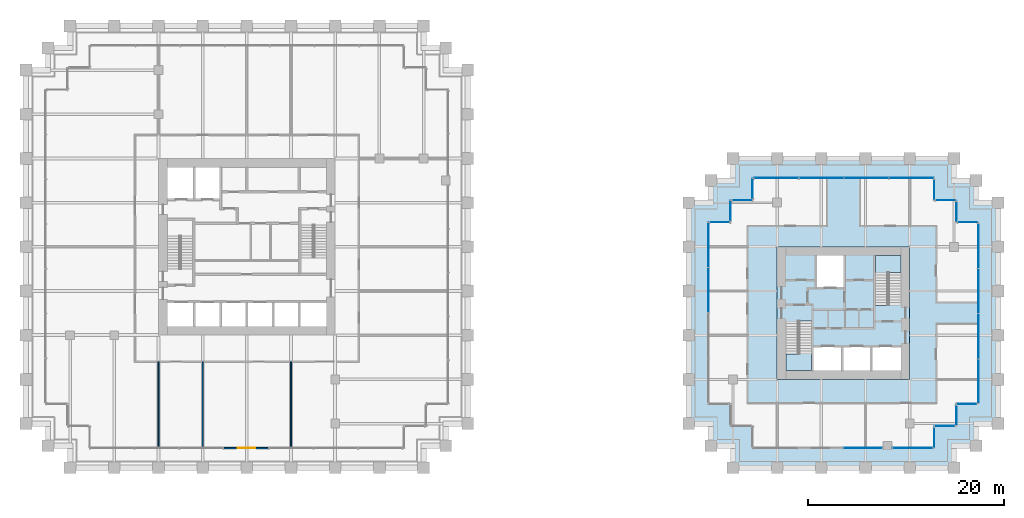
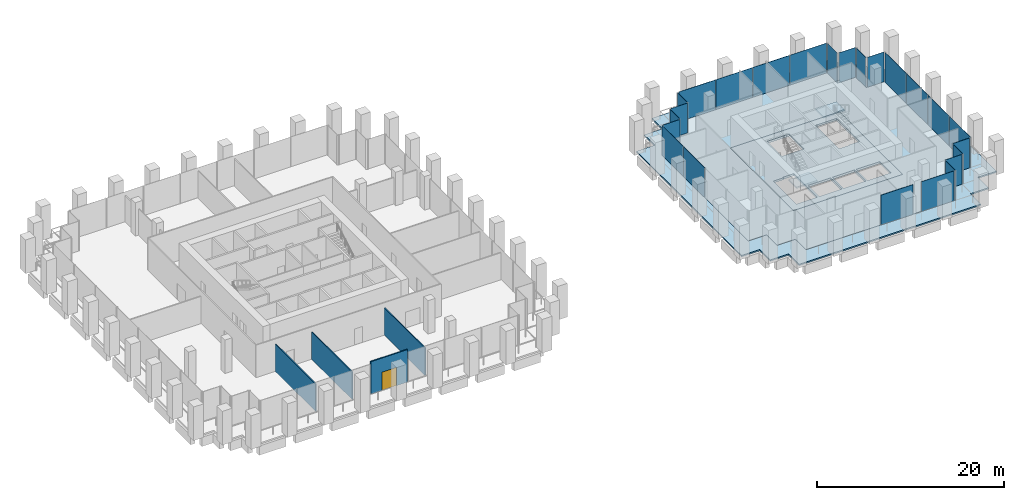
# One storey, part 29 of 36: 24 plates, 5 slabs, 4 walls, 1 door, 1 opening, 19 elements without a shape of their own.
"""IFC4 building model written with IfcOpenShell, lengths in metres."""

from ifc_helpers import new_model, si_unit, direction, frame, frame_2d, origin, origin_2d, place, context, subcontext, project, spatial, polyline, rectangle, outline, extrude, material, layer, layer_set, type_object, element, fill, aggregate, save


model = new_model("IFC4")

# Units and contexts
model_context = context("Model", 3, precision=1e-05, world=origin(), true_north=direction((0.0, 1.0)))
body_context = subcontext(model_context, "Body", "Model", "MODEL_VIEW")
ifc_project = project(units=[si_unit("LENGTHUNIT", "METRE"), si_unit("AREAUNIT", "SQUARE_METRE"), si_unit("VOLUMEUNIT", "CUBIC_METRE"), si_unit("PLANEANGLEUNIT", "RADIAN"), si_unit("MASSUNIT", "GRAM", prefix="KILO")], contexts=[model_context])

# Site, building, storey
site_placement = place(None, origin())
site = spatial("IfcSite", under=ifc_project, at=site_placement, CompositionType="ELEMENT")
building_placement = place(site_placement, origin())
building = spatial("IfcBuilding", under=site, at=building_placement, Name="Altepetl Exchange Towers", CompositionType="ELEMENT")
storey_placement = place(building_placement, frame((0.0, 0.0, 43.0)))
storey = spatial("IfcBuildingStorey", under=building, at=storey_placement, Name="L09", CompositionType="ELEMENT", Elevation=43.0)

# Slabs
ifc_material_1 = material(Name="Concrete C40/50", Category="concrete")
ifc_layer_1 = layer(ifc_material_1, 0.175048828125)
ifc_layer_set_1 = layer_set([ifc_layer_1], Name="Concrete C40/50")
slab_type_1 = type_object("IfcSlabType", Name="Composite floor slab 175", PredefinedType="FLOOR", material=ifc_layer_set_1)
slab_1_placement = place(storey_placement, frame((0.0, 0.0, -0.175048828125)))
element("IfcSlab", 1, at=slab_1_placement, inside=storey, type_object=slab_type_1, Name="slab:B:L09:strip0", PredefinedType="FLOOR", context=body_context, shape_type="SweptSolid", body=[
    extrude(outline(polyline([(98.75, 54.25), (98.75, 52.0), (96.5, 52.0), (96.5, 33.5), (98.75, 33.5), (98.75, 31.25), (101.0, 31.25), (101.0, 29.0), (119.5, 29.0), (119.5, 31.25), (121.75, 31.25), (121.75, 33.5), (124.0, 33.5), (124.0, 52.0), (121.75, 52.0), (121.75, 54.25), (119.5, 54.25), (119.5, 56.5), (101.0, 56.5), (101.0, 54.25), (98.75, 54.25)]), holes=[polyline([(117.0, 49.5), (117.0, 36.0), (103.5, 36.0), (103.5, 49.5), (117.0, 49.5)])]), origin(), (0.0, 0.0, 1.0), 0.175048828125),
])
ifc_layer_2 = layer(ifc_material_1, 0.27490234375)
ifc_layer_set_2 = layer_set([ifc_layer_2], Name="Concrete C40/50")
slab_type_2 = type_object("IfcSlabType", Name="Core floor slab 275", PredefinedType="FLOOR", material=ifc_layer_set_2)
slab_2_placement = place(storey_placement, frame((0.0, 0.0, -0.27490234375)))
element("IfcSlab", 2, at=slab_2_placement, inside=storey, type_object=slab_type_2, Name="slab:B:L09:core0", PredefinedType="FLOOR", context=body_context, shape_type="SweptSolid", body=[
    extrude(outline(polyline([(103.5, 36.0), (117.0, 36.0), (117.0, 49.5), (103.5, 49.5), (103.5, 36.0)]), holes=[polyline([(107.199951171875, 36.89990234375), (107.199951171875, 39.300048828125), (110.032958984375, 39.300048828125), (110.032958984375, 36.89990234375), (107.199951171875, 36.89990234375)]), polyline([(110.23291015625, 39.300048828125), (112.967041015625, 39.300048828125), (112.967041015625, 36.89990234375), (110.23291015625, 36.89990234375), (110.23291015625, 39.300048828125)]), polyline([(113.1669921875, 39.300048828125), (116.10009765625, 39.300048828125), (116.10009765625, 36.89990234375), (113.1669921875, 36.89990234375), (113.1669921875, 39.300048828125)]), polyline([(107.0, 36.89990234375), (104.39990234375, 36.89990234375), (104.39990234375, 41.85009765625), (105.64990234375, 41.85009765625), (105.64990234375, 41.948974609375), (107.0, 41.948974609375), (107.0, 36.89990234375)]), polyline([(116.10009765625, 48.60009765625), (116.10009765625, 43.64990234375), (114.85009765625, 43.64990234375), (114.85009765625, 43.551025390625), (113.5, 43.551025390625), (113.5, 48.60009765625), (116.10009765625, 48.60009765625)]), polyline([(107.532958984375, 48.60009765625), (110.26708984375, 48.60009765625), (110.26708984375, 45.39990234375), (107.532958984375, 45.39990234375), (107.532958984375, 48.60009765625)])]), origin(), (0.0, 0.0, 1.0), 0.27490234375),
])

# Curtain wall, plate
ifc_material_2 = material(Name="Aluminium 6063-T6 glazing", Category="aluminium")
curtain_wall_type = type_object("IfcCurtainWallType", Name="Trading floor glazing system", PredefinedType="NOTDEFINED", material=ifc_material_2)
curtain_wall_1_placement = place(storey_placement, origin())
curtain_wall_1 = element("IfcCurtainWall", 3, at=curtain_wall_1_placement, inside=storey, type_object=curtain_wall_type, Name="CW2 run", PredefinedType="NOTDEFINED")
ifc_material_3 = material(Name="Glass 8-20-8 solar control", Category="glass")
ifc_layer_3 = layer(ifc_material_3, 0.035888671875)
ifc_layer_set_3 = layer_set([ifc_layer_3], Name="Glass 8-20-8 solar control")
plate_type = type_object("IfcPlateType", Name="Glass panel 36 double glazed", PredefinedType="CURTAIN_PANEL", material=ifc_layer_set_3)
plate_1_placement = place(storey_placement, frame((97.675048828125, 52.0, 0.0), z_axis=(0.0, 0.0, 1.0), x_axis=(-1.0, 0.0, 0.0)))
plate_1 = element("IfcPlate", 4, at=plate_1_placement, type_object=plate_type, Name="GP2 panel", PredefinedType="CURTAIN_PANEL", context=body_context, shape_type="SweptSolid", body=[
    extrude(rectangle(XDim=2.030029296875, YDim=0.035888671875, at=origin_2d()), origin(), (0.0, 0.0, 1.0), 3.89990234375),
])
aggregate(curtain_wall_1, [plate_1])

# Curtain wall, plates
curtain_wall_2_placement = place(storey_placement, origin())
curtain_wall_2 = element("IfcCurtainWall", 5, at=curtain_wall_2_placement, inside=storey, type_object=curtain_wall_type, Name="CW2 run", PredefinedType="NOTDEFINED")
plate_2_placement = place(storey_placement, frame((96.5, 49.68505859375, 0.0), z_axis=(0.0, 0.0, 1.0), x_axis=(0.0, -1.0, 0.0)))
plate_2 = element("IfcPlate", 6, at=plate_2_placement, type_object=plate_type, Name="GP2 panel", PredefinedType="CURTAIN_PANEL", context=body_context, shape_type="SweptSolid", body=[
    extrude(rectangle(XDim=4.510009765625, YDim=0.035888671875, at=origin_2d()), origin(), (0.0, 0.0, 1.0), 3.89990234375),
])
plate_3_placement = place(storey_placement, frame((96.5, 45.10009765625, 0.0), z_axis=(0.0, 0.0, 1.0), x_axis=(0.0, -1.0, 0.0)))
plate_3 = element("IfcPlate", 7, at=plate_3_placement, type_object=plate_type, Name="GP2 panel", PredefinedType="CURTAIN_PANEL", context=body_context, shape_type="SweptSolid", body=[
    extrude(rectangle(XDim=4.5400390625, YDim=0.035888671875, at=origin_2d()), origin(), (0.0, 0.0, 1.0), 3.89990234375),
])
aggregate(curtain_wall_2, [plate_2, plate_3])

# Curtain wall, plate
curtain_wall_3_placement = place(storey_placement, origin())
curtain_wall_3 = element("IfcCurtainWall", 8, at=curtain_wall_3_placement, inside=storey, type_object=curtain_wall_type, Name="CW2 run", PredefinedType="NOTDEFINED")
plate_4_placement = place(storey_placement, frame((112.239990234375, 29.0, 0.0)))
plate_4 = element("IfcPlate", 9, at=plate_4_placement, type_object=plate_type, Name="GP2 panel", PredefinedType="CURTAIN_PANEL", context=body_context, shape_type="SweptSolid", body=[
    extrude(rectangle(XDim=3.9599609375, YDim=0.035888671875, at=origin_2d()), origin(), (0.0, 0.0, 1.0), 3.89990234375),
])
aggregate(curtain_wall_3, [plate_4])

curtain_wall_4_placement = place(storey_placement, origin())
curtain_wall_4 = element("IfcCurtainWall", 10, at=curtain_wall_4_placement, inside=storey, type_object=curtain_wall_type, Name="CW2 run", PredefinedType="NOTDEFINED")
plate_5_placement = place(storey_placement, frame((117.31005859375, 29.0, 0.0)))
plate_5 = element("IfcPlate", 11, at=plate_5_placement, type_object=plate_type, Name="GP2 panel", PredefinedType="CURTAIN_PANEL", context=body_context, shape_type="SweptSolid", body=[
    extrude(rectangle(XDim=4.06005859375, YDim=0.035888671875, at=origin_2d()), origin(), (0.0, 0.0, 1.0), 3.89990234375),
])
aggregate(curtain_wall_4, [plate_5])

curtain_wall_5_placement = place(storey_placement, origin())
curtain_wall_5 = element("IfcCurtainWall", 12, at=curtain_wall_5_placement, inside=storey, type_object=curtain_wall_type, Name="CW2 run", PredefinedType="NOTDEFINED")
plate_6_placement = place(storey_placement, frame((119.5, 30.074951171875, 0.0), z_axis=(0.0, 0.0, 1.0), x_axis=(0.0, 1.0, 0.0)))
plate_6 = element("IfcPlate", 13, at=plate_6_placement, type_object=plate_type, Name="GP2 panel", PredefinedType="CURTAIN_PANEL", context=body_context, shape_type="SweptSolid", body=[
    extrude(rectangle(XDim=2.030029296875, YDim=0.035888671875, at=origin_2d()), origin(), (0.0, 0.0, 1.0), 3.89990234375),
])
aggregate(curtain_wall_5, [plate_6])

curtain_wall_6_placement = place(storey_placement, origin())
curtain_wall_6 = element("IfcCurtainWall", 14, at=curtain_wall_6_placement, inside=storey, type_object=curtain_wall_type, Name="CW2 run", PredefinedType="NOTDEFINED")
plate_7_placement = place(storey_placement, frame((120.574951171875, 31.25, 0.0)))
plate_7 = element("IfcPlate", 15, at=plate_7_placement, type_object=plate_type, Name="GP2 panel", PredefinedType="CURTAIN_PANEL", context=body_context, shape_type="SweptSolid", body=[
    extrude(rectangle(XDim=2.030029296875, YDim=0.035888671875, at=origin_2d()), origin(), (0.0, 0.0, 1.0), 3.89990234375),
])
aggregate(curtain_wall_6, [plate_7])

curtain_wall_7_placement = place(storey_placement, origin())
curtain_wall_7 = element("IfcCurtainWall", 16, at=curtain_wall_7_placement, inside=storey, type_object=curtain_wall_type, Name="CW2 run", PredefinedType="NOTDEFINED")
plate_8_placement = place(storey_placement, frame((121.75, 32.324951171875, 0.0), z_axis=(0.0, 0.0, 1.0), x_axis=(0.0, 1.0, 0.0)))
plate_8 = element("IfcPlate", 17, at=plate_8_placement, type_object=plate_type, Name="GP2 panel", PredefinedType="CURTAIN_PANEL", context=body_context, shape_type="SweptSolid", body=[
    extrude(rectangle(XDim=2.030029296875, YDim=0.035888671875, at=origin_2d()), origin(), (0.0, 0.0, 1.0), 3.89990234375),
])
aggregate(curtain_wall_7, [plate_8])

curtain_wall_8_placement = place(storey_placement, origin())
curtain_wall_8 = element("IfcCurtainWall", 18, at=curtain_wall_8_placement, inside=storey, type_object=curtain_wall_type, Name="CW2 run", PredefinedType="NOTDEFINED")
plate_9_placement = place(storey_placement, frame((122.824951171875, 33.5, 0.0)))
plate_9 = element("IfcPlate", 19, at=plate_9_placement, type_object=plate_type, Name="GP2 panel", PredefinedType="CURTAIN_PANEL", context=body_context, shape_type="SweptSolid", body=[
    extrude(rectangle(XDim=2.030029296875, YDim=0.035888671875, at=origin_2d()), origin(), (0.0, 0.0, 1.0), 3.89990234375),
])
aggregate(curtain_wall_8, [plate_9])

# Curtain wall, plates
curtain_wall_9_placement = place(storey_placement, origin())
curtain_wall_9 = element("IfcCurtainWall", 20, at=curtain_wall_9_placement, inside=storey, type_object=curtain_wall_type, Name="CW2 run", PredefinedType="NOTDEFINED")
plate_10_placement = place(storey_placement, frame((124.0, 35.81494140625, 0.0), z_axis=(0.0, 0.0, 1.0), x_axis=(0.0, 1.0, 0.0)))
plate_10 = element("IfcPlate", 21, at=plate_10_placement, type_object=plate_type, Name="GP2 panel", PredefinedType="CURTAIN_PANEL", context=body_context, shape_type="SweptSolid", body=[
    extrude(rectangle(XDim=4.510009765625, YDim=0.035888671875, at=origin_2d()), origin(), (0.0, 0.0, 1.0), 3.89990234375),
])
plate_11_placement = place(storey_placement, frame((124.0, 40.39990234375, 0.0), z_axis=(0.0, 0.0, 1.0), x_axis=(0.0, 1.0, 0.0)))
plate_11 = element("IfcPlate", 22, at=plate_11_placement, type_object=plate_type, Name="GP2 panel", PredefinedType="CURTAIN_PANEL", context=body_context, shape_type="SweptSolid", body=[
    extrude(rectangle(XDim=4.5400390625, YDim=0.035888671875, at=origin_2d()), origin(), (0.0, 0.0, 1.0), 3.89990234375),
])
plate_12_placement = place(storey_placement, frame((124.0, 45.0, 0.0), z_axis=(0.0, 0.0, 1.0), x_axis=(0.0, 1.0, 0.0)))
plate_12 = element("IfcPlate", 23, at=plate_12_placement, type_object=plate_type, Name="GP2 panel", PredefinedType="CURTAIN_PANEL", context=body_context, shape_type="SweptSolid", body=[
    extrude(rectangle(XDim=4.5400390625, YDim=0.035888671875, at=origin_2d()), origin(), (0.0, 0.0, 1.0), 3.89990234375),
])
plate_13_placement = place(storey_placement, frame((124.0, 49.5849609375, 0.0), z_axis=(0.0, 0.0, 1.0), x_axis=(0.0, 1.0, 0.0)))
plate_13 = element("IfcPlate", 24, at=plate_13_placement, type_object=plate_type, Name="GP2 panel", PredefinedType="CURTAIN_PANEL", context=body_context, shape_type="SweptSolid", body=[
    extrude(rectangle(XDim=4.510009765625, YDim=0.035888671875, at=origin_2d()), origin(), (0.0, 0.0, 1.0), 3.89990234375),
])
aggregate(curtain_wall_9, [plate_10, plate_11, plate_12, plate_13])

# Curtain wall, plate
curtain_wall_10_placement = place(storey_placement, origin())
curtain_wall_10 = element("IfcCurtainWall", 25, at=curtain_wall_10_placement, inside=storey, type_object=curtain_wall_type, Name="CW2 run", PredefinedType="NOTDEFINED")
plate_14_placement = place(storey_placement, frame((122.925048828125, 52.0, 0.0), z_axis=(0.0, 0.0, 1.0), x_axis=(-1.0, 0.0, 0.0)))
plate_14 = element("IfcPlate", 26, at=plate_14_placement, type_object=plate_type, Name="GP2 panel", PredefinedType="CURTAIN_PANEL", context=body_context, shape_type="SweptSolid", body=[
    extrude(rectangle(XDim=2.030029296875, YDim=0.035888671875, at=origin_2d()), origin(), (0.0, 0.0, 1.0), 3.89990234375),
])
aggregate(curtain_wall_10, [plate_14])

curtain_wall_11_placement = place(storey_placement, origin())
curtain_wall_11 = element("IfcCurtainWall", 27, at=curtain_wall_11_placement, inside=storey, type_object=curtain_wall_type, Name="CW2 run", PredefinedType="NOTDEFINED")
plate_15_placement = place(storey_placement, frame((121.75, 53.074951171875, 0.0), z_axis=(0.0, 0.0, 1.0), x_axis=(0.0, 1.0, 0.0)))
plate_15 = element("IfcPlate", 28, at=plate_15_placement, type_object=plate_type, Name="GP2 panel", PredefinedType="CURTAIN_PANEL", context=body_context, shape_type="SweptSolid", body=[
    extrude(rectangle(XDim=2.030029296875, YDim=0.035888671875, at=origin_2d()), origin(), (0.0, 0.0, 1.0), 3.89990234375),
])
aggregate(curtain_wall_11, [plate_15])

curtain_wall_12_placement = place(storey_placement, origin())
curtain_wall_12 = element("IfcCurtainWall", 29, at=curtain_wall_12_placement, inside=storey, type_object=curtain_wall_type, Name="CW2 run", PredefinedType="NOTDEFINED")
plate_16_placement = place(storey_placement, frame((120.675048828125, 54.25, 0.0), z_axis=(0.0, 0.0, 1.0), x_axis=(-1.0, 0.0, 0.0)))
plate_16 = element("IfcPlate", 30, at=plate_16_placement, type_object=plate_type, Name="GP2 panel", PredefinedType="CURTAIN_PANEL", context=body_context, shape_type="SweptSolid", body=[
    extrude(rectangle(XDim=2.030029296875, YDim=0.035888671875, at=origin_2d()), origin(), (0.0, 0.0, 1.0), 3.89990234375),
])
aggregate(curtain_wall_12, [plate_16])

curtain_wall_13_placement = place(storey_placement, origin())
curtain_wall_13 = element("IfcCurtainWall", 31, at=curtain_wall_13_placement, inside=storey, type_object=curtain_wall_type, Name="CW2 run", PredefinedType="NOTDEFINED")
plate_17_placement = place(storey_placement, frame((119.5, 55.324951171875, 0.0), z_axis=(0.0, 0.0, 1.0), x_axis=(0.0, 1.0, 0.0)))
plate_17 = element("IfcPlate", 32, at=plate_17_placement, type_object=plate_type, Name="GP2 panel", PredefinedType="CURTAIN_PANEL", context=body_context, shape_type="SweptSolid", body=[
    extrude(rectangle(XDim=2.030029296875, YDim=0.035888671875, at=origin_2d()), origin(), (0.0, 0.0, 1.0), 3.89990234375),
])
aggregate(curtain_wall_13, [plate_17])

# Curtain wall, plates
curtain_wall_14_placement = place(storey_placement, origin())
curtain_wall_14 = element("IfcCurtainWall", 33, at=curtain_wall_14_placement, inside=storey, type_object=curtain_wall_type, Name="CW2 run", PredefinedType="NOTDEFINED")
plate_18_placement = place(storey_placement, frame((117.18505859375, 56.5, 0.0), z_axis=(0.0, 0.0, 1.0), x_axis=(-1.0, 0.0, 0.0)))
plate_18 = element("IfcPlate", 34, at=plate_18_placement, type_object=plate_type, Name="GP2 panel", PredefinedType="CURTAIN_PANEL", context=body_context, shape_type="SweptSolid", body=[
    extrude(rectangle(XDim=4.510009765625, YDim=0.035888671875, at=origin_2d()), origin(), (0.0, 0.0, 1.0), 3.89990234375),
])
plate_19_placement = place(storey_placement, frame((112.60009765625, 56.5, 0.0), z_axis=(0.0, 0.0, 1.0), x_axis=(-1.0, 0.0, 0.0)))
plate_19 = element("IfcPlate", 35, at=plate_19_placement, type_object=plate_type, Name="GP2 panel", PredefinedType="CURTAIN_PANEL", context=body_context, shape_type="SweptSolid", body=[
    extrude(rectangle(XDim=4.5400390625, YDim=0.035888671875, at=origin_2d()), origin(), (0.0, 0.0, 1.0), 3.89990234375),
])
plate_20_placement = place(storey_placement, frame((108.0, 56.5, 0.0), z_axis=(0.0, 0.0, 1.0), x_axis=(-1.0, 0.0, 0.0)))
plate_20 = element("IfcPlate", 36, at=plate_20_placement, type_object=plate_type, Name="GP2 panel", PredefinedType="CURTAIN_PANEL", context=body_context, shape_type="SweptSolid", body=[
    extrude(rectangle(XDim=4.5400390625, YDim=0.035888671875, at=origin_2d()), origin(), (0.0, 0.0, 1.0), 3.89990234375),
])
plate_21_placement = place(storey_placement, frame((103.4150390625, 56.5, 0.0), z_axis=(0.0, 0.0, 1.0), x_axis=(-1.0, 0.0, 0.0)))
plate_21 = element("IfcPlate", 37, at=plate_21_placement, type_object=plate_type, Name="GP2 panel", PredefinedType="CURTAIN_PANEL", context=body_context, shape_type="SweptSolid", body=[
    extrude(rectangle(XDim=4.510009765625, YDim=0.035888671875, at=origin_2d()), origin(), (0.0, 0.0, 1.0), 3.89990234375),
])
aggregate(curtain_wall_14, [plate_18, plate_19, plate_20, plate_21])

# Curtain wall, plate
curtain_wall_15_placement = place(storey_placement, origin())
curtain_wall_15 = element("IfcCurtainWall", 38, at=curtain_wall_15_placement, inside=storey, type_object=curtain_wall_type, Name="CW2 run", PredefinedType="NOTDEFINED")
plate_22_placement = place(storey_placement, frame((101.0, 55.425048828125, 0.0), z_axis=(0.0, 0.0, 1.0), x_axis=(0.0, -1.0, 0.0)))
plate_22 = element("IfcPlate", 39, at=plate_22_placement, type_object=plate_type, Name="GP2 panel", PredefinedType="CURTAIN_PANEL", context=body_context, shape_type="SweptSolid", body=[
    extrude(rectangle(XDim=2.030029296875, YDim=0.035888671875, at=origin_2d()), origin(), (0.0, 0.0, 1.0), 3.89990234375),
])
aggregate(curtain_wall_15, [plate_22])

curtain_wall_16_placement = place(storey_placement, origin())
curtain_wall_16 = element("IfcCurtainWall", 40, at=curtain_wall_16_placement, inside=storey, type_object=curtain_wall_type, Name="CW2 run", PredefinedType="NOTDEFINED")
plate_23_placement = place(storey_placement, frame((99.925048828125, 54.25, 0.0), z_axis=(0.0, 0.0, 1.0), x_axis=(-1.0, 0.0, 0.0)))
plate_23 = element("IfcPlate", 41, at=plate_23_placement, type_object=plate_type, Name="GP2 panel", PredefinedType="CURTAIN_PANEL", context=body_context, shape_type="SweptSolid", body=[
    extrude(rectangle(XDim=2.030029296875, YDim=0.035888671875, at=origin_2d()), origin(), (0.0, 0.0, 1.0), 3.89990234375),
])
aggregate(curtain_wall_16, [plate_23])

curtain_wall_17_placement = place(storey_placement, origin())
curtain_wall_17 = element("IfcCurtainWall", 42, at=curtain_wall_17_placement, inside=storey, type_object=curtain_wall_type, Name="CW2 run", PredefinedType="NOTDEFINED")
plate_24_placement = place(storey_placement, frame((98.75, 53.175048828125, 0.0), z_axis=(0.0, 0.0, 1.0), x_axis=(0.0, -1.0, 0.0)))
plate_24 = element("IfcPlate", 43, at=plate_24_placement, type_object=plate_type, Name="GP2 panel", PredefinedType="CURTAIN_PANEL", context=body_context, shape_type="SweptSolid", body=[
    extrude(rectangle(XDim=2.030029296875, YDim=0.035888671875, at=origin_2d()), origin(), (0.0, 0.0, 1.0), 3.89990234375),
])
aggregate(curtain_wall_17, [plate_24])

# Slab
ifc_layer_4 = layer(ifc_material_1, 0.175048828125)
ifc_layer_set_4 = layer_set([ifc_layer_4], Name="Concrete C40/50")
slab_type_3 = type_object("IfcSlabType", Name="Loggia slab 175", PredefinedType="FLOOR", material=ifc_layer_set_4)
slab_3_placement = place(storey_placement, frame((0.0, 0.0, -0.175048828125)))
element("IfcSlab", 44, at=slab_3_placement, inside=storey, type_object=slab_type_3, Name="slab:B:L09:loggia0", PredefinedType="FLOOR", context=body_context, shape_type="SweptSolid", body=[
    extrude(outline(polyline([(96.75, 54.0), (94.5, 54.0), (94.5, 36.0), (94.5, 31.5), (96.75, 31.5), (96.75, 29.25), (99.0, 29.25), (99.0, 27.0), (117.0, 27.0), (121.5, 27.0), (121.5, 29.25), (123.75, 29.25), (123.75, 31.5), (126.0, 31.5), (126.0, 49.5), (126.0, 54.0), (123.75, 54.0), (123.75, 56.25), (121.5, 56.25), (121.5, 58.5), (103.5, 58.5), (99.0, 58.5), (99.0, 56.25), (96.75, 56.25), (96.75, 54.0)]), holes=[polyline([(96.5, 52.0), (98.75, 52.0), (98.75, 54.25), (101.0, 54.25), (101.0, 56.5), (119.5, 56.5), (119.5, 54.25), (121.75, 54.25), (121.75, 52.0), (124.0, 52.0), (124.0, 33.5), (121.75, 33.5), (121.75, 31.25), (119.5, 31.25), (119.5, 29.0), (101.0, 29.0), (101.0, 31.25), (98.75, 31.25), (98.75, 33.5), (96.5, 33.5), (96.5, 52.0)])]), origin(), (0.0, 0.0, 1.0), 0.175048828125),
])

# Stair, slab
stair_type = type_object("IfcStairType", Name="Exit stair 1250 flights dogleg", PredefinedType="HALF_TURN_STAIR", material=ifc_material_1)
stair_1_placement = place(storey_placement, origin())
stair_1 = element("IfcStair", 45, at=stair_1_placement, inside=storey, type_object=stair_type, Name="Exit stair 1", PredefinedType="HALF_TURN_STAIR")
ifc_layer_5 = layer(ifc_material_1, 0.199951171875)
ifc_layer_set_5 = layer_set([ifc_layer_5], Name="Concrete C40/50")
slab_type_4 = type_object("IfcSlabType", Name="Stair landing 200 reinforced concrete", PredefinedType="LANDING", material=ifc_layer_set_5)
slab_4_placement = place(storey_placement, frame((0.0, 0.0, 2.0)))
slab_4 = element("IfcSlab", 46, at=slab_4_placement, type_object=slab_type_4, Name="ST-B1b landing 1", PredefinedType="LANDING", context=body_context, shape_type="SweptSolid", body=[
    extrude(outline(polyline([(107.0, 36.89990234375), (104.39990234375, 36.89990234375), (104.39990234375, 38.590087890625), (104.39990234375, 38.5908203125), (105.64990234375, 38.5908203125), (105.64990234375, 38.590087890625), (105.75, 38.590087890625), (105.75, 38.68994140625), (107.0, 38.68994140625), (107.0, 38.590087890625), (107.0, 36.89990234375)])), origin(), (0.0, 0.0, 1.0), 0.199951171875),
])
aggregate(stair_1, [slab_4])

stair_2_placement = place(storey_placement, origin())
stair_2 = element("IfcStair", 47, at=stair_2_placement, inside=storey, type_object=stair_type, Name="Exit stair 2", PredefinedType="HALF_TURN_STAIR")
slab_5_placement = place(storey_placement, frame((0.0, 0.0, 2.0)))
slab_5 = element("IfcSlab", 48, at=slab_5_placement, type_object=slab_type_4, Name="ST-B2b landing 1", PredefinedType="LANDING", context=body_context, shape_type="SweptSolid", body=[
    extrude(outline(polyline([(114.75, 46.81005859375), (113.5, 46.81005859375), (113.5, 46.909912109375), (113.5, 48.60009765625), (116.10009765625, 48.60009765625), (116.10009765625, 46.909912109375), (116.10009765625, 46.9091796875), (114.85009765625, 46.9091796875), (114.85009765625, 46.909912109375), (114.75, 46.909912109375), (114.75, 46.81005859375)])), origin(), (0.0, 0.0, 1.0), 0.199951171875),
])
aggregate(stair_2, [slab_5])

# Wall, opening, door
ifc_material_4 = material(Name="Aluminium composite cladding", Category="aluminium")
ifc_layer_6 = layer(ifc_material_4, 0.14990234375)
ifc_layer_set_6 = layer_set([ifc_layer_6], Name="Aluminium composite cladding")
wall_type_1 = type_object("IfcWallType", Name="Infill wall 150 aluminium panel", PredefinedType="SOLIDWALL", material=ifc_layer_set_6)
wall_placement = place(storey_placement, frame((47.17138671875, 29.0, 0.0)))
wall = element("IfcWall", 49, at=wall_placement, inside=storey, type_object=wall_type_1, Name="Loggia door bay wall", PredefinedType="SOLIDWALL", context=body_context, shape_type="SweptSolid", body=[
    extrude(rectangle(XDim=4.55712890625, YDim=0.14990234375, at=frame_2d((2.278564453125, 0.0))), origin(), (0.0, 0.0, 1.0), 4.25),
])
opening_placement = place(wall_placement, frame((1.378662109375, 0.0, 0.0)))
opening = element("IfcOpeningElement", 50, at=opening_placement, cuts=wall, Name="Opening L09.A90", PredefinedType="OPENING", context=body_context, shape_type="SweptSolid", body=[
    extrude(rectangle(XDim=1.800048828125, YDim=2.39990234375, at=frame_2d((0.89990234375, 1.199951171875))), frame((0.0, 0.0849609375, 0.0), z_axis=(0.0, -1.0, 0.0), x_axis=(1.0, 0.0, 0.0)), (0.0, 0.0, 1.0), 0.169921875),
])
ifc_material_5 = material(Name="Aluminium 6063-T6 and glass", Category="aluminium")
door_type = type_object("IfcDoorType", Name="Glazed door pair 1800x2400", OperationType="DOUBLE_DOOR_DOUBLE_SWING", PredefinedType="NOTDEFINED", material=ifc_material_5)
door_placement = place(opening_placement, frame((1.800048828125, 0.0, 0.0), x_axis=(-1.0, 0.0, 0.0)))
door = element("IfcDoor", 51, at=door_placement, inside=storey, type_object=door_type, Name="Loggia door", OperationType="DOUBLE_DOOR_DOUBLE_SWING", OverallHeight=2.39990234375, OverallWidth=1.800048828125, PredefinedType="NOTDEFINED", context=body_context, shape_type="SweptSolid", body=[
    extrude(rectangle(XDim=1.800048828125, YDim=2.39990234375, at=frame_2d((0.89990234375, 1.199951171875))), frame((0.0, 0.02490234375, 0.0), z_axis=(0.0, -1.0, 0.0), x_axis=(1.0, 0.0, 0.0)), (0.0, 0.0, 1.0), 0.050048828125),
])
fill(opening, door)

# Walls
ifc_material_6 = material(Name="Gypsum board on steel studs", Category="steel")
ifc_layer_7 = layer(ifc_material_6, 0.125)
ifc_layer_set_7 = layer_set([ifc_layer_7], Name="Gypsum board on steel studs")
wall_type_2 = type_object("IfcWallType", Name="Partition 125 gypsum board on steel studs", PredefinedType="PARTITIONING", material=ifc_layer_set_7)
for number, where, z_axis, x_axis, name in (
    (52, (40.5, 29.10009765625, 0.0), (0.0, 0.0, 1.0), (0.0, 1.0, 0.0), "wall:A:L09:P11"),
    (53, (45.0, 29.10009765625, 0.0), (0.0, 0.0, 1.0), (0.0, 1.0, 0.0), "wall:A:L09:P15"),
    (54, (54.0, 29.10009765625, 0.0), (0.0, 0.0, 1.0), (0.0, 1.0, 0.0), "wall:A:L09:P17"),
):
    element("IfcWall", number, at=place(storey_placement, frame(where, z_axis=z_axis, x_axis=x_axis)), inside=storey, type_object=wall_type_2, Name=name, PredefinedType="PARTITIONING", context=body_context, shape_type="SweptSolid", body=[
        extrude(rectangle(XDim=8.699951171875, YDim=0.125, at=frame_2d((4.35009765625, 0.0))), origin(), (0.0, 0.0, 1.0), 3.56591796875),
    ])

save(model, "model.ifc")
